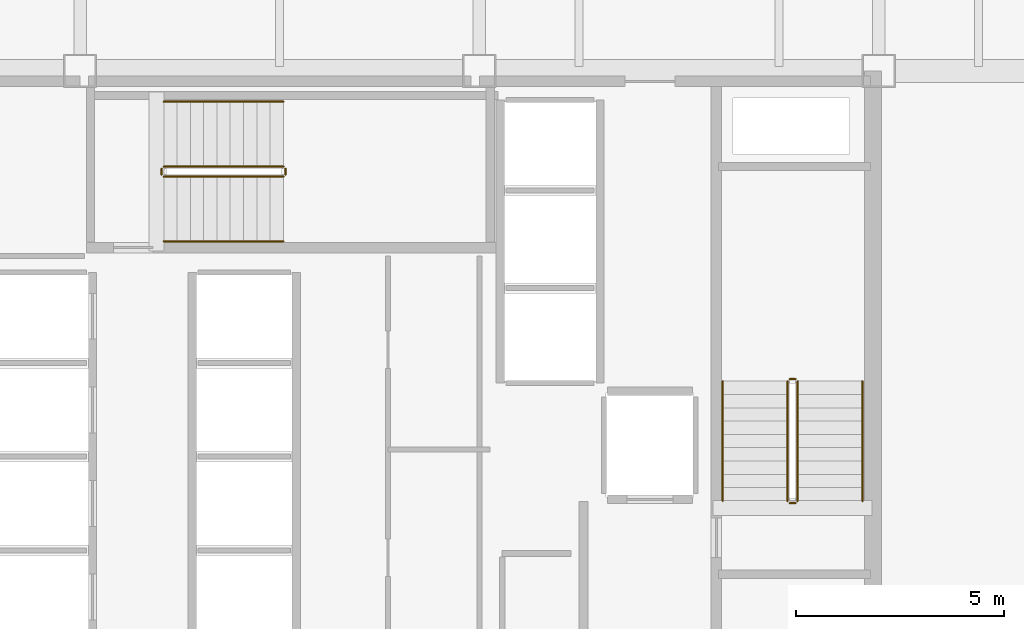
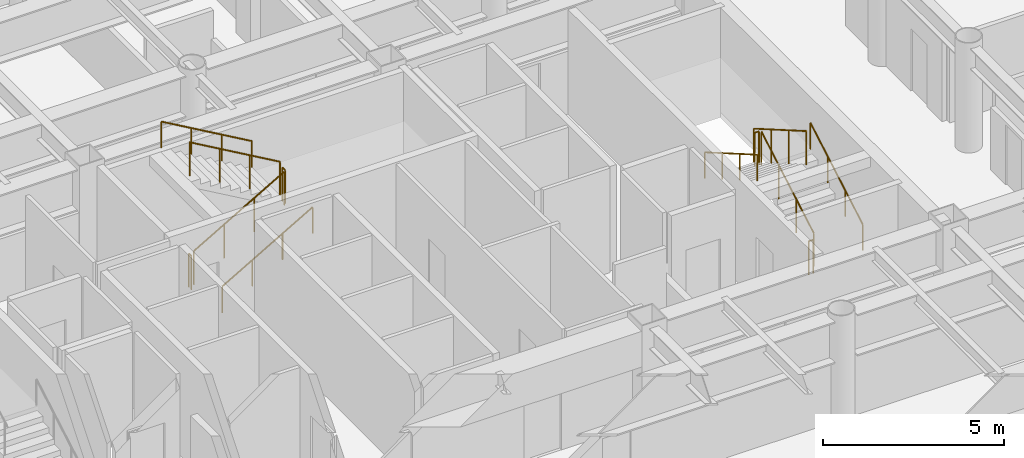
# One storey, part 22 of 22: 12 railings.
"""IFC4 building model written with IfcOpenShell, lengths in metres."""

from ifc_helpers import new_model, si_unit, direction, frame, origin, origin_2d, place, context, subcontext, project, spatial, circle, extrude, material, layer, layer_set, type_object, element, save


model = new_model("IFC4")

# Units and contexts
model_context = context("Model", 3, precision=1e-05, world=origin(), true_north=direction((0.0, 1.0)))
body_context = subcontext(model_context, "Body", "Model", "MODEL_VIEW")
ifc_project = project(units=[si_unit("LENGTHUNIT", "METRE"), si_unit("AREAUNIT", "SQUARE_METRE"), si_unit("VOLUMEUNIT", "CUBIC_METRE"), si_unit("PLANEANGLEUNIT", "RADIAN"), si_unit("MASSUNIT", "GRAM", prefix="KILO")], contexts=[model_context])

# Site, building, storey
site_placement = place(None, origin())
site = spatial("IfcSite", under=ifc_project, at=site_placement, CompositionType="ELEMENT")
building_placement = place(site_placement, origin())
building = spatial("IfcBuilding", under=site, at=building_placement, Name="Kallvorn Hotel Tower", CompositionType="ELEMENT")
storey_placement = place(building_placement, frame((0.0, 0.0, 59.60009765625)))
storey = spatial("IfcBuildingStorey", under=building, at=storey_placement, Name="L13", CompositionType="ELEMENT", Elevation=59.60009765625)

# Railings
ifc_material_1 = material(Name="Brushed stainless-steel tubular railing", Category="steel")
ifc_layer_1 = layer(ifc_material_1, 0.050048828125)
ifc_layer_set_1 = layer_set([ifc_layer_1], Name="RL_STAIR_GUARD")
railing_type_1 = type_object("IfcRailingType", Name="RL_STAIR_GUARD", PredefinedType="GUARDRAIL", material=ifc_layer_set_1)
railing_1_placement = place(storey_placement, frame((12.449951171875, -3.139892578125, 0.184814453125)))
element("IfcRailing", 1, at=railing_1_placement, inside=storey, type_object=railing_type_1, Name="L13 ST2 stair guard 1", PredefinedType="GUARDRAIL", context=body_context, shape_type="SweptSolid", body=[
    extrude(circle(Radius=0.02392578125, at=origin_2d()), frame((0.0, 0.0, 1.1259765625), z_axis=(0.0, 0.865720918037, 0.500527014328), x_axis=(-1.0, 0.0, 0.0)), (0.0, 0.0, 1.0), 3.32666015625),
    extrude(circle(Radius=0.02099609375, at=origin_2d()), origin(), (0.0, 0.0, 1.0), 1.101806640625),
    extrude(circle(Radius=0.02099609375, at=origin_2d()), frame((0.0, 0.9599609375, 0.554931640625)), (0.0, 0.0, 1.0), 1.101806640625),
    extrude(circle(Radius=0.02099609375, at=origin_2d()), frame((0.0, 1.919921875, 1.110107421875)), (0.0, 0.0, 1.0), 1.101806640625),
    extrude(circle(Radius=0.02099609375, at=origin_2d()), frame((0.0, 2.8798828125, 1.6650390625)), (0.0, 0.0, 1.0), 1.101806640625),
])
railing_2_placement = place(storey_placement, frame((12.39990234375, -0.2099609375, 1.849853515625)))
element("IfcRailing", 2, at=railing_2_placement, inside=storey, type_object=railing_type_1, Name="L13 ST2 stair guard 2", PredefinedType="GUARDRAIL", context=body_context, shape_type="SweptSolid", body=[
    extrude(circle(Radius=0.02392578125, at=origin_2d()), frame((0.0, 0.0, 1.1259765625), z_axis=(-1.0, 0.0, 0.0), x_axis=(0.0, -1.0, 0.0)), (0.0, 0.0, 1.0), 0.139892578125),
    extrude(circle(Radius=0.02099609375, at=origin_2d()), origin(), (0.0, 0.0, 1.0), 1.101806640625),
    extrude(circle(Radius=0.02099609375, at=origin_2d()), frame((-0.139892578125, 0.0, 0.0)), (0.0, 0.0, 1.0), 1.101806640625),
])
railing_3_placement = place(storey_placement, frame((12.2099609375, -0.260009765625, 2.034912109375)))
element("IfcRailing", 3, at=railing_3_placement, inside=storey, type_object=railing_type_1, Name="L13 ST2 stair guard 3", PredefinedType="GUARDRAIL", context=body_context, shape_type="SweptSolid", body=[
    extrude(circle(Radius=0.02392578125, at=origin_2d()), frame((0.0, 0.0, 1.1259765625), z_axis=(0.0, -0.865720918037, 0.500527014328), x_axis=(1.0, 0.0, 0.0)), (0.0, 0.0, 1.0), 3.32666015625),
    extrude(circle(Radius=0.02099609375, at=origin_2d()), origin(), (0.0, 0.0, 1.0), 1.101806640625),
    extrude(circle(Radius=0.02099609375, at=origin_2d()), frame((0.0, -0.9599609375, 0.554931640625)), (0.0, 0.0, 1.0), 1.101806640625),
    extrude(circle(Radius=0.02099609375, at=origin_2d()), frame((0.0, -1.919921875, 1.110107421875)), (0.0, 0.0, 1.0), 1.101806640625),
    extrude(circle(Radius=0.02099609375, at=origin_2d()), frame((0.0, -2.8798828125, 1.6650390625)), (0.0, 0.0, 1.0), 1.101806640625),
])
railing_4_placement = place(storey_placement, frame((12.39990234375, -3.18994140625, 0.0)))
element("IfcRailing", 4, at=railing_4_placement, inside=storey, type_object=railing_type_1, Name="L13 ST2 stair guard 4", PredefinedType="GUARDRAIL", context=body_context, shape_type="SweptSolid", body=[
    extrude(circle(Radius=0.02392578125, at=origin_2d()), frame((0.0, 0.0, 1.1259765625), z_axis=(-1.0, 0.0, 0.0), x_axis=(0.0, -1.0, 0.0)), (0.0, 0.0, 1.0), 0.139892578125),
    extrude(circle(Radius=0.02099609375, at=origin_2d()), origin(), (0.0, 0.0, 1.0), 1.101806640625),
    extrude(circle(Radius=0.02099609375, at=origin_2d()), frame((-0.139892578125, 0.0, 0.0)), (0.0, 0.0, 1.0), 1.101806640625),
])
railing_5_placement = place(storey_placement, frame((-2.7900390625, 4.659912109375, 0.184814453125)))
element("IfcRailing", 5, at=railing_5_placement, inside=storey, type_object=railing_type_1, Name="L13 ST3 stair guard 1", PredefinedType="GUARDRAIL", context=body_context, shape_type="SweptSolid", body=[
    extrude(circle(Radius=0.02392578125, at=origin_2d()), frame((0.0, 0.0, 1.1259765625), z_axis=(0.865739302748, 0.0, 0.50049521444), x_axis=(0.0, 1.0, 0.0)), (0.0, 0.0, 1.0), 3.326904296875),
    extrude(circle(Radius=0.02099609375, at=origin_2d()), origin(), (0.0, 0.0, 1.0), 1.101806640625),
    extrude(circle(Radius=0.02099609375, at=origin_2d()), frame((0.9599609375, 0.0, 0.554931640625)), (0.0, 0.0, 1.0), 1.101806640625),
    extrude(circle(Radius=0.02099609375, at=origin_2d()), frame((1.920166015625, 0.0, 1.110107421875)), (0.0, 0.0, 1.0), 1.101806640625),
    extrude(circle(Radius=0.02099609375, at=origin_2d()), frame((2.880126953125, 0.0, 1.6650390625)), (0.0, 0.0, 1.0), 1.101806640625),
])
railing_6_placement = place(storey_placement, frame((0.139892578125, 4.7099609375, 1.849853515625)))
element("IfcRailing", 6, at=railing_6_placement, inside=storey, type_object=railing_type_1, Name="L13 ST3 stair guard 2", PredefinedType="GUARDRAIL", context=body_context, shape_type="SweptSolid", body=[
    extrude(circle(Radius=0.02392578125, at=origin_2d()), frame((0.0, 0.0, 1.1259765625), z_axis=(0.0, 1.0, 0.0), x_axis=(-1.0, 0.0, 0.0)), (0.0, 0.0, 1.0), 0.14013671875),
    extrude(circle(Radius=0.02099609375, at=origin_2d()), origin(), (0.0, 0.0, 1.0), 1.101806640625),
    extrude(circle(Radius=0.02099609375, at=origin_2d()), frame((0.0, 0.14013671875, 0.0)), (0.0, 0.0, 1.0), 1.101806640625),
])
railing_7_placement = place(storey_placement, frame((0.090087890625, 4.89990234375, 2.034912109375)))
element("IfcRailing", 7, at=railing_7_placement, inside=storey, type_object=railing_type_1, Name="L13 ST3 stair guard 3", PredefinedType="GUARDRAIL", context=body_context, shape_type="SweptSolid", body=[
    extrude(circle(Radius=0.02392578125, at=origin_2d()), frame((0.0, 0.0, 1.1259765625), z_axis=(-0.865739302748, 0.0, 0.50049521444), x_axis=(0.0, -1.0, 0.0)), (0.0, 0.0, 1.0), 3.326904296875),
    extrude(circle(Radius=0.02099609375, at=origin_2d()), origin(), (0.0, 0.0, 1.0), 1.101806640625),
    extrude(circle(Radius=0.02099609375, at=origin_2d()), frame((-0.9599609375, 0.0, 0.554931640625)), (0.0, 0.0, 1.0), 1.101806640625),
    extrude(circle(Radius=0.02099609375, at=origin_2d()), frame((-1.920166015625, 0.0, 1.110107421875)), (0.0, 0.0, 1.0), 1.101806640625),
    extrude(circle(Radius=0.02099609375, at=origin_2d()), frame((-2.880126953125, 0.0, 1.6650390625)), (0.0, 0.0, 1.0), 1.101806640625),
])
railing_8_placement = place(storey_placement, frame((-2.840087890625, 4.7099609375, 0.0)))
element("IfcRailing", 8, at=railing_8_placement, inside=storey, type_object=railing_type_1, Name="L13 ST3 stair guard 4", PredefinedType="GUARDRAIL", context=body_context, shape_type="SweptSolid", body=[
    extrude(circle(Radius=0.02392578125, at=origin_2d()), frame((0.0, 0.0, 1.1259765625), z_axis=(0.0, 1.0, 0.0), x_axis=(-1.0, 0.0, 0.0)), (0.0, 0.0, 1.0), 0.14013671875),
    extrude(circle(Radius=0.02099609375, at=origin_2d()), origin(), (0.0, 0.0, 1.0), 1.101806640625),
    extrude(circle(Radius=0.02099609375, at=origin_2d()), frame((0.0, 0.14013671875, 0.0)), (0.0, 0.0, 1.0), 1.101806640625),
])
ifc_material_2 = material(Name="Brushed stainless-steel tubular railing", Category="steel")
ifc_layer_2 = layer(ifc_material_2, 0.050048828125)
ifc_layer_set_2 = layer_set([ifc_layer_2], Name="RL_STAIR_HAND")
railing_type_2 = type_object("IfcRailingType", Name="RL_STAIR_HAND", PredefinedType="HANDRAIL", material=ifc_layer_set_2)
railing_9_placement = place(storey_placement, frame((14.010009765625, -3.139892578125, 0.184814453125)))
element("IfcRailing", 9, at=railing_9_placement, inside=storey, type_object=railing_type_2, Name="L13 ST2 stair handrail 1", PredefinedType="HANDRAIL", context=body_context, shape_type="SweptSolid", body=[
    extrude(circle(Radius=0.02392578125, at=origin_2d()), frame((0.0, 0.0, 0.8759765625), z_axis=(0.0, 0.865720918037, 0.500527014328), x_axis=(-1.0, 0.0, 0.0)), (0.0, 0.0, 1.0), 3.32666015625),
    extrude(circle(Radius=0.02099609375, at=origin_2d()), origin(), (0.0, 0.0, 1.0), 0.851806640625),
    extrude(circle(Radius=0.02099609375, at=origin_2d()), frame((0.0, 0.9599609375, 0.554931640625)), (0.0, 0.0, 1.0), 0.851806640625),
    extrude(circle(Radius=0.02099609375, at=origin_2d()), frame((0.0, 1.919921875, 1.110107421875)), (0.0, 0.0, 1.0), 0.851806640625),
    extrude(circle(Radius=0.02099609375, at=origin_2d()), frame((0.0, 2.8798828125, 1.6650390625)), (0.0, 0.0, 1.0), 0.851806640625),
])
railing_10_placement = place(storey_placement, frame((10.64990234375, -0.260009765625, 2.034912109375)))
element("IfcRailing", 10, at=railing_10_placement, inside=storey, type_object=railing_type_2, Name="L13 ST2 stair handrail 2", PredefinedType="HANDRAIL", context=body_context, shape_type="SweptSolid", body=[
    extrude(circle(Radius=0.02392578125, at=origin_2d()), frame((0.0, 0.0, 0.8759765625), z_axis=(0.0, -0.865720918037, 0.500527014328), x_axis=(1.0, 0.0, 0.0)), (0.0, 0.0, 1.0), 3.32666015625),
    extrude(circle(Radius=0.02099609375, at=origin_2d()), origin(), (0.0, 0.0, 1.0), 0.851806640625),
    extrude(circle(Radius=0.02099609375, at=origin_2d()), frame((0.0, -0.9599609375, 0.554931640625)), (0.0, 0.0, 1.0), 0.851806640625),
    extrude(circle(Radius=0.02099609375, at=origin_2d()), frame((0.0, -1.919921875, 1.110107421875)), (0.0, 0.0, 1.0), 0.851806640625),
    extrude(circle(Radius=0.02099609375, at=origin_2d()), frame((0.0, -2.8798828125, 1.6650390625)), (0.0, 0.0, 1.0), 0.851806640625),
])
railing_11_placement = place(storey_placement, frame((-2.7900390625, 3.10009765625, 0.184814453125)))
element("IfcRailing", 11, at=railing_11_placement, inside=storey, type_object=railing_type_2, Name="L13 ST3 stair handrail 1", PredefinedType="HANDRAIL", context=body_context, shape_type="SweptSolid", body=[
    extrude(circle(Radius=0.02392578125, at=origin_2d()), frame((0.0, 0.0, 0.8759765625), z_axis=(0.865739302748, 0.0, 0.50049521444), x_axis=(0.0, 1.0, 0.0)), (0.0, 0.0, 1.0), 3.326904296875),
    extrude(circle(Radius=0.02099609375, at=origin_2d()), origin(), (0.0, 0.0, 1.0), 0.851806640625),
    extrude(circle(Radius=0.02099609375, at=origin_2d()), frame((0.9599609375, 0.0, 0.554931640625)), (0.0, 0.0, 1.0), 0.851806640625),
    extrude(circle(Radius=0.02099609375, at=origin_2d()), frame((1.920166015625, 0.0, 1.110107421875)), (0.0, 0.0, 1.0), 0.851806640625),
    extrude(circle(Radius=0.02099609375, at=origin_2d()), frame((2.880126953125, 0.0, 1.6650390625)), (0.0, 0.0, 1.0), 0.851806640625),
])
railing_12_placement = place(storey_placement, frame((0.090087890625, 6.4599609375, 2.034912109375)))
element("IfcRailing", 12, at=railing_12_placement, inside=storey, type_object=railing_type_2, Name="L13 ST3 stair handrail 2", PredefinedType="HANDRAIL", context=body_context, shape_type="SweptSolid", body=[
    extrude(circle(Radius=0.02392578125, at=origin_2d()), frame((0.0, 0.0, 0.8759765625), z_axis=(-0.865739302748, 0.0, 0.50049521444), x_axis=(0.0, -1.0, 0.0)), (0.0, 0.0, 1.0), 3.326904296875),
    extrude(circle(Radius=0.02099609375, at=origin_2d()), origin(), (0.0, 0.0, 1.0), 0.851806640625),
    extrude(circle(Radius=0.02099609375, at=origin_2d()), frame((-0.9599609375, 0.0, 0.554931640625)), (0.0, 0.0, 1.0), 0.851806640625),
    extrude(circle(Radius=0.02099609375, at=origin_2d()), frame((-1.920166015625, 0.0, 1.110107421875)), (0.0, 0.0, 1.0), 0.851806640625),
    extrude(circle(Radius=0.02099609375, at=origin_2d()), frame((-2.880126953125, 0.0, 1.6650390625)), (0.0, 0.0, 1.0), 0.851806640625),
])

save(model, "model.ifc")
